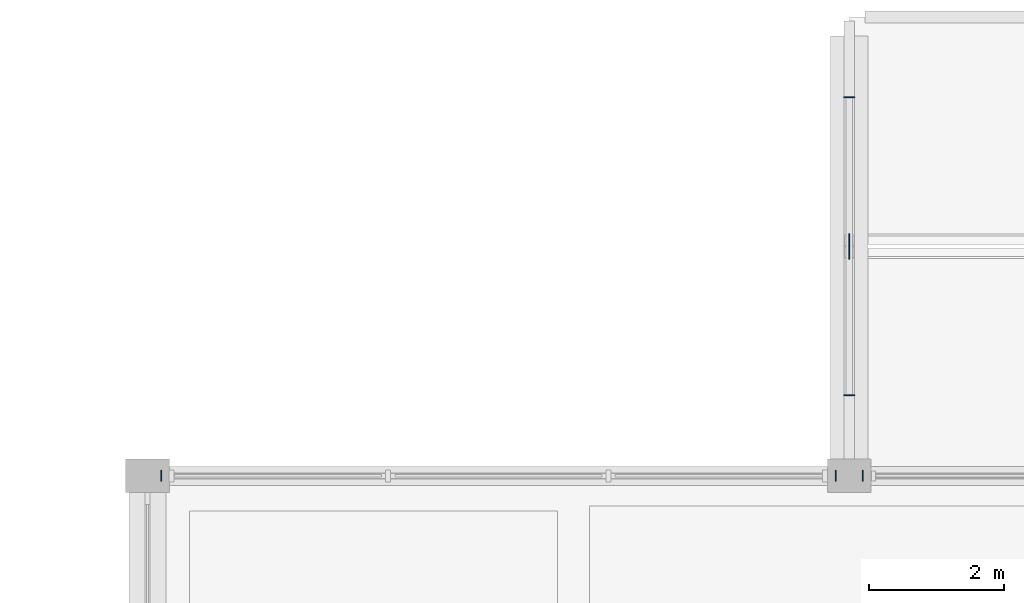
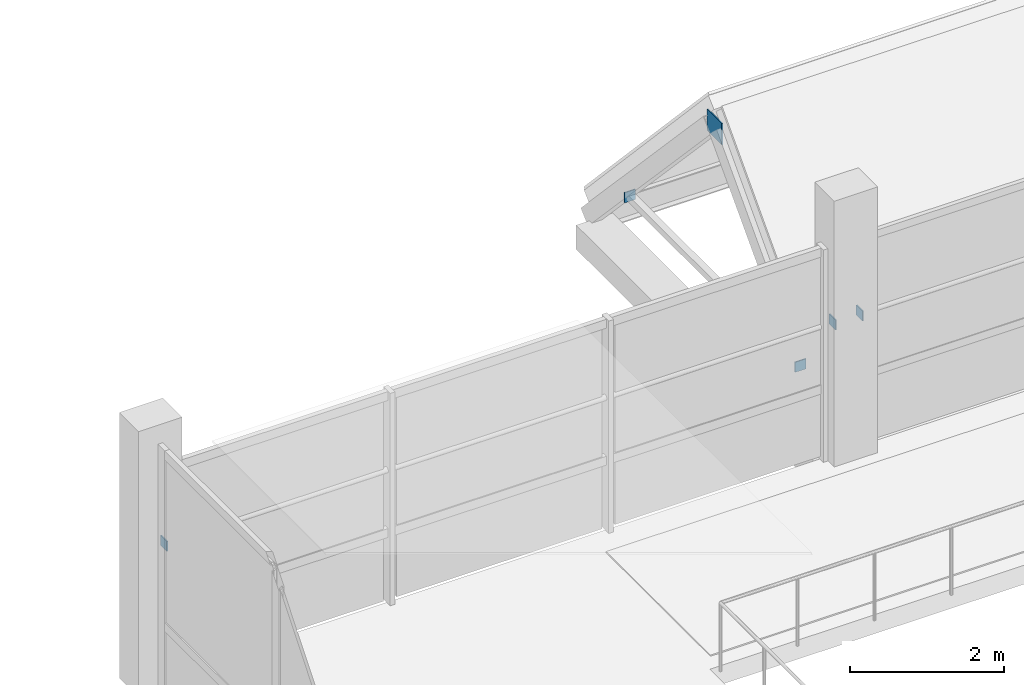
# One storey, part 39 of 85: 6 plates.
"""IFC4 building model written with IfcOpenShell, lengths in metres."""

from ifc_helpers import new_model, si_unit, derived_unit, direction, frame, origin, origin_2d, place, context, subcontext, project, spatial, rectangle, extrude, material, layer, layer_set, type_object, element, save


model = new_model("IFC4")

# Units and contexts
model_context = context("Model", 3, precision=1e-05, world=origin(), true_north=direction((0.0, 1.0)))
body_context = subcontext(model_context, "Body", "Model", "MODEL_VIEW")
ifc_project = project(units=[si_unit("LENGTHUNIT", "METRE"), si_unit("AREAUNIT", "SQUARE_METRE"), si_unit("VOLUMEUNIT", "CUBIC_METRE"), si_unit("PLANEANGLEUNIT", "RADIAN"), si_unit("MASSUNIT", "GRAM", prefix="KILO"), derived_unit("THERMALTRANSMITTANCEUNIT", [(si_unit("POWERUNIT", "WATT"), 1), (si_unit("LENGTHUNIT", "METRE"), -2), (si_unit("THERMODYNAMICTEMPERATUREUNIT", "KELVIN"), -1)])], contexts=[model_context])

# Site, building, storey
site_placement = place(None, origin())
site = spatial("IfcSite", under=ifc_project, at=site_placement, CompositionType="ELEMENT")
building_placement = place(site_placement, origin())
building = spatial("IfcBuilding", under=site, at=building_placement, Name="Braskholm Square Health Centre", CompositionType="ELEMENT")
storey_placement = place(building_placement, frame((0.0, 0.0, 9.300048828125)))
storey = spatial("IfcBuildingStorey", under=building, at=storey_placement, Name="L03", CompositionType="ELEMENT", Elevation=9.300048828125)

# Plates
ifc_material = material(Name="Steel ASTM A572 Grade 50", Category="steel")
ifc_layer_1 = layer(ifc_material, 0.01611328125)
ifc_layer_set_1 = layer_set([ifc_layer_1], Name="Steel ASTM A572 Grade 50")
plate_type_1 = type_object("IfcPlateType", Name="CapPlateHSS152TN8", PredefinedType="USERDEFINED", material=ifc_layer_set_1)
for number, where, z_axis, x_axis, name in (
    (1, (47.802001953125, 107.0, 2.02001953125), (0.0, 0.0, 1.0), (1.0, 0.0, 0.0), "Hollow section end cap plate 0279"),
    (2, (57.798095703125, 107.0, 2.02001953125), (0.0, 0.0, 1.0), (1.0, 0.0, 0.0), "Hollow section end cap plate 0280"),
    (3, (58.201904296875, 107.0, 2.02001953125), (0.0, 0.0, 1.0), (1.0, 0.0, 0.0), "Hollow section end cap plate 0287"),
    (4, (58.0, 108.19189453125, 0.5400390625), (0.0, 0.0, 1.0), (0.0, 1.0, 0.0), "Hollow section end cap plate 0329"),
    (5, (58.0, 112.60791015625, 0.5400390625), (0.0, 0.0, 1.0), (0.0, 1.0, 0.0), "Hollow section end cap plate 0330"),
):
    element("IfcPlate", number, at=place(storey_placement, frame(where, z_axis=z_axis, x_axis=x_axis)), inside=storey, type_object=plate_type_1, Name=name, ObjectType="CAP_PLATE", PredefinedType="USERDEFINED", context=body_context, shape_type="SweptSolid", body=[
        extrude(rectangle(XDim=0.01611328125, YDim=0.159912109375, at=origin_2d()), origin(), (0.0, 0.0, 1.0), 0.159912109375),
    ])
ifc_layer_2 = layer(ifc_material, 0.01806640625)
ifc_layer_set_2 = layer_set([ifc_layer_2], Name="Steel ASTM A572 Grade 50")
plate_type_2 = type_object("IfcPlateType", Name="NodeGussetConservatoryTN5", PredefinedType="USERDEFINED", material=ifc_layer_set_2)
plate_placement = place(storey_placement, frame((58.0, 110.39990234375, 2.8798828125), z_axis=(0.0, 0.0, 1.0), x_axis=(1.0, 0.0, 0.0)))
element("IfcPlate", 6, at=plate_placement, inside=storey, type_object=plate_type_2, Name="Conservatory ridge gusset plate 0331", ObjectType="GUSSET_PLATE", PredefinedType="USERDEFINED", context=body_context, shape_type="SweptSolid", body=[
    extrude(rectangle(XDim=0.01806640625, YDim=0.3798828125, at=origin_2d()), origin(), (0.0, 0.0, 1.0), 0.340087890625),
])

save(model, "model.ifc")
